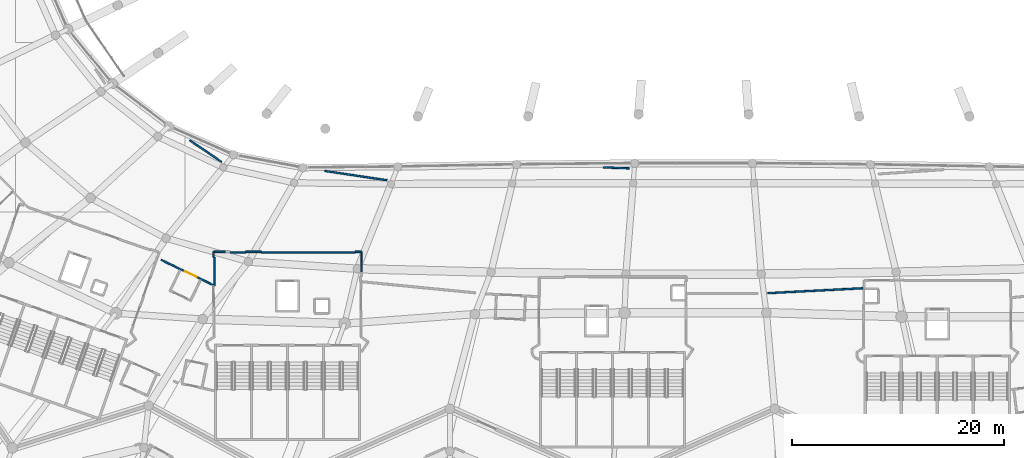
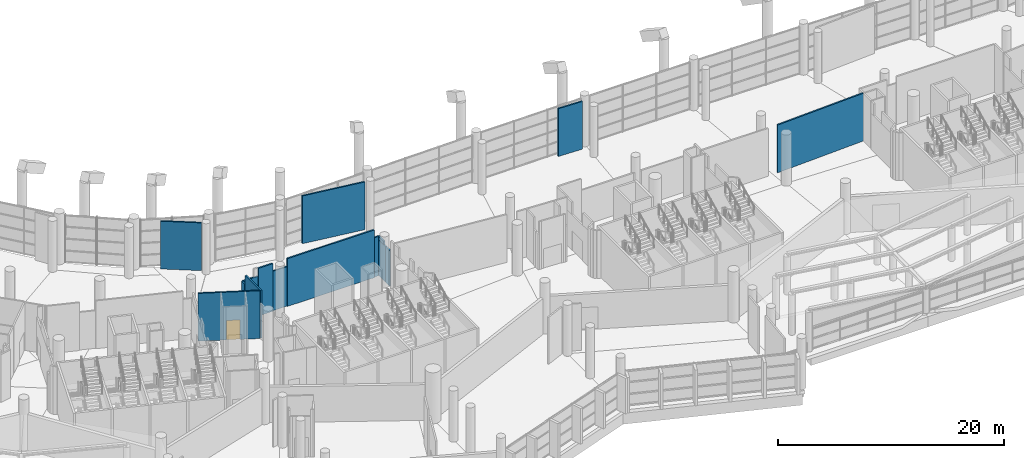
# One storey, part 165 of 271: 15 walls, 1 door, 1 opening.
"""IFC4 building model written with IfcOpenShell, lengths in metres."""

import ifcopenshell
import ifcopenshell.guid

model = None  # the IFC model being written
_history = None  # IfcOwnerHistory: only IFC2X3 demands one
_inside = {}  # id of a spatial element -> (the spatial element, [elements in it])
_under = {}  # id of a project, library or spatial element -> (it, [spatial elements below it])
_declared = {}  # id of a project -> (the project, [libraries it declares])
_typed = {}  # id of a type object -> (the type object, [elements of that type])
_made_of = {}  # id of a material, layer set ... -> (it, [elements and type objects made of it])


def new_model(schema):
    """Start an empty IFC model of exactly this schema.

    Asked for "IFC4X3", IfcOpenShell would pick the latest addendum, in which some entities
    have other attributes; the version numbers below select the first issue.
    IFC2X3 requires an IfcOwnerHistory on every rooted entity: one is made here for all.
    """
    global model, _history
    if schema == "IFC4X3":
        model = ifcopenshell.file(schema_version=(4, 3, 0, 0))
    else:
        model = ifcopenshell.file(schema=schema)
    _inside.clear()
    _under.clear()
    _declared.clear()
    _typed.clear()
    _made_of.clear()
    _history = None
    if model.schema == "IFC2X3":
        org = make("IfcOrganization", Name="unknown")
        user = make(
            "IfcPersonAndOrganization",
            ThePerson=make("IfcPerson", FamilyName="unknown"),
            TheOrganization=org,
        )
        app = make(
            "IfcApplication",
            ApplicationDeveloper=org,
            Version="unknown",
            ApplicationFullName="unknown",
            ApplicationIdentifier="unknown",
        )
        _history = make(
            "IfcOwnerHistory",
            OwningUser=user,
            OwningApplication=app,
            ChangeAction="ADDED",
            CreationDate=0,
        )
    return model


def make(cls, **values):
    """One entity of the class cls with the attributes given. An attribute that is None is left unset."""
    return model.create_entity(
        cls, **{name: value for name, value in values.items() if value is not None}
    )


def rooted(cls, **values):
    """An entity with a GlobalId (a new one), such as an element, a storey or a relation."""
    return make(cls, GlobalId=ifcopenshell.guid.new(), OwnerHistory=_history, **values)


def si_unit(unit_type, name, prefix=None):
    """IfcSIUnit, for example si_unit("LENGTHUNIT", "METRE", prefix="MILLI")."""
    return make("IfcSIUnit", UnitType=unit_type, Prefix=prefix, Name=name)


def assignment(units):
    """IfcUnitAssignment: the units of a project."""
    return None if units is None else make("IfcUnitAssignment", Units=units)


def point(xyz):
    """IfcCartesianPoint."""
    return None if xyz is None else make("IfcCartesianPoint", Coordinates=xyz)


def direction(xyz):
    """IfcDirection."""
    return None if xyz is None else make("IfcDirection", DirectionRatios=xyz)


def frame(location, z_axis=None, x_axis=None):
    """IfcAxis2Placement3D, a coordinate frame: its origin and axes. An axis left out is left unset."""
    return make(
        "IfcAxis2Placement3D",
        Location=point(location),
        Axis=direction(z_axis),
        RefDirection=direction(x_axis),
    )


def frame_2d(location, x_axis=None):
    """IfcAxis2Placement2D, a coordinate frame in the plane: its origin and x axis."""
    return make(
        "IfcAxis2Placement2D", Location=point(location), RefDirection=direction(x_axis)
    )


def origin():
    """The frame at (0, 0, 0) with its axes left unset."""
    return frame((0.0, 0.0, 0.0))


def place(relative_to, where):
    """IfcLocalPlacement: puts the frame where relative to a parent placement (None: the world)."""
    return make(
        "IfcLocalPlacement", PlacementRelTo=relative_to, RelativePlacement=where
    )


def context(
    kind, dimensions, precision=None, world=None, true_north=None, identifier=None
):
    """IfcGeometricRepresentationContext, for example the 3D "Model" context."""
    return make(
        "IfcGeometricRepresentationContext",
        ContextIdentifier=identifier,
        ContextType=kind,
        CoordinateSpaceDimension=dimensions,
        Precision=precision,
        WorldCoordinateSystem=world,
        TrueNorth=true_north,
    )


def subcontext(parent, identifier, kind, view, scale=None):
    """IfcGeometricRepresentationSubContext, for example "Body" below "Model"."""
    return make(
        "IfcGeometricRepresentationSubContext",
        ContextIdentifier=identifier,
        ContextType=kind,
        ParentContext=parent,
        TargetScale=scale,
        TargetView=view,
    )


def project(units=None, contexts=None):
    """IfcProject with its units and contexts."""
    return rooted(
        "IfcProject",
        Name="project",
        RepresentationContexts=contexts,
        UnitsInContext=assignment(units),
    )


def spatial(cls, under=None, at=None, **own):
    """A site, building, storey or space (cls), placed at a placement, below another one or the project."""
    s = rooted(cls, ObjectPlacement=at, **own)
    if under is not None:
        _under.setdefault(under.id(), (under, []))[1].append(s)
    return s


def profile(cls, at=None, kind="AREA", **sizes):
    """A parametric profile (cls). Its sizes go by their IFC names, for example OverallWidth=200.0."""
    return make(cls, ProfileType=kind, Position=at, **sizes)


def rectangle(**sizes):
    """IfcRectangleProfileDef."""
    return profile("IfcRectangleProfileDef", **sizes)


def extrude(swept, where, along, depth):
    """IfcExtrudedAreaSolid: the profile swept, set in the frame where, extruded along a direction by depth."""
    return make(
        "IfcExtrudedAreaSolid",
        SweptArea=swept,
        Position=where,
        ExtrudedDirection=direction(along),
        Depth=depth,
    )


def shape(context_of_items, identifier, shape_type, items):
    """IfcShapeRepresentation: the items that make up one representation, for example the "Body"."""
    return make(
        "IfcShapeRepresentation",
        ContextOfItems=context_of_items,
        RepresentationIdentifier=identifier,
        RepresentationType=shape_type,
        Items=items,
    )


def material(Name=None, Category=None):
    """IfcMaterial."""
    return make("IfcMaterial", Name=Name, Category=Category)


def layer(
    of_material, thickness, ventilated=None, Name=None, Category=None, Priority=None
):
    """IfcMaterialLayer: one layer of a wall or slab, of a material (None: an air gap)."""
    return make(
        "IfcMaterialLayer",
        Material=of_material,
        LayerThickness=thickness,
        IsVentilated=ventilated,
        Name=Name,
        Category=Category,
        Priority=Priority,
    )


def layer_set(layers, Name=None):
    """IfcMaterialLayerSet."""
    return make("IfcMaterialLayerSet", MaterialLayers=layers, LayerSetName=Name)


def made_of(thing, what):
    """Note that an element or type object is made of a material, layer set ...; save() writes the relation."""
    if what is not None:
        _made_of.setdefault(what.id(), (what, []))[1].append(thing)
    return thing


def type_object(cls, material=None, **own):
    """A type object (cls), such as IfcWallType, which elements share."""
    return made_of(rooted(cls, **own), material)


def element(
    cls,
    number,
    at=None,
    inside=None,
    cuts=None,
    type_object=None,
    material=None,
    context=None,
    identifier="Body",
    shape_type=None,
    held_by="IfcProductDefinitionShape",
    body=None,
    shapes=None,
    **own,
):
    """One element of the class cls, such as IfcWall. Its Tag is "e" and its number.

    at: its placement. inside: the storey or other place that contains it. cuts: it is an
    opening in that element (IfcRelVoidsElement). A single representation is given by context,
    identifier, shape_type and body (its items); several are given by shapes. held_by: the class
    of the entity that holds the representations. save() writes the other relations.
    """
    e = rooted(cls, Tag="e%d" % number, ObjectPlacement=at, **own)
    if body is not None:
        shapes = [shape(context, identifier, shape_type, body)]
    if shapes is not None:
        e.Representation = make(held_by, Representations=shapes)
    if inside is not None:
        _inside.setdefault(inside.id(), (inside, []))[1].append(e)
    if cuts is not None:
        rooted(
            "IfcRelVoidsElement", RelatingBuildingElement=cuts, RelatedOpeningElement=e
        )
    if type_object is not None:
        _typed.setdefault(type_object.id(), (type_object, []))[1].append(e)
    return made_of(e, material)


def fill(opening, filler):
    """IfcRelFillsElement: the door or window that sits in an opening."""
    return rooted(
        "IfcRelFillsElement",
        RelatingOpeningElement=opening,
        RelatedBuildingElement=filler,
    )


def aggregate(whole, parts):
    """IfcRelAggregates: a whole, such as a stair, and the parts it consists of."""
    return rooted("IfcRelAggregates", RelatingObject=whole, RelatedObjects=parts)


def save(model, path):
    """Write the relations noted so far, then the file.

    IfcRelAggregates (storeys below a building ...), IfcRelContainedInSpatialStructure (elements
    in a storey), IfcRelDefinesByType, IfcRelAssociatesMaterial and IfcRelDeclares: one each for
    every whole, place, type object, material and project.
    """
    for whole, parts in _under.values():
        aggregate(whole, parts)
    for where, things in _inside.values():
        rooted(
            "IfcRelContainedInSpatialStructure",
            RelatedElements=things,
            RelatingStructure=where,
        )
    for kind, things in _typed.values():
        rooted("IfcRelDefinesByType", RelatedObjects=things, RelatingType=kind)
    for what, things in _made_of.values():
        rooted("IfcRelAssociatesMaterial", RelatedObjects=things, RelatingMaterial=what)
    for by, libraries in _declared.values():
        rooted("IfcRelDeclares", RelatingContext=by, RelatedDefinitions=libraries)
    model.write(path)


model = new_model("IFC4")

# Units and contexts
model_context = context("Model", 3, precision=1e-05, world=origin(), true_north=direction((0.0, 1.0)))
body_context = subcontext(model_context, "Body", "Model", "MODEL_VIEW")
ifc_project = project(units=[si_unit("LENGTHUNIT", "METRE"), si_unit("AREAUNIT", "SQUARE_METRE"), si_unit("VOLUMEUNIT", "CUBIC_METRE"), si_unit("PLANEANGLEUNIT", "RADIAN"), si_unit("MASSUNIT", "GRAM", prefix="KILO")], contexts=[model_context])

# Site, building, storey
site_placement = place(None, origin())
site = spatial("IfcSite", under=ifc_project, at=site_placement, CompositionType="ELEMENT")
building_placement = place(site_placement, origin())
building = spatial("IfcBuilding", under=site, at=building_placement, Name="Meseta Stadium", CompositionType="ELEMENT")
storey_placement = place(building_placement, frame((0.0, 0.0, 6.5)))
storey = spatial("IfcBuildingStorey", under=building, at=storey_placement, Name="L01", CompositionType="ELEMENT", Elevation=6.5)

# Walls
ifc_material_1 = material(Name="Masonry blockwork", Category="masonry")
ifc_layer = layer(ifc_material_1, 0.14990234375)
ifc_layer_set = layer_set([ifc_layer], Name="Partition 150")
wall_type = type_object("IfcWallType", Name="Partition 150", PredefinedType="PARTITIONING", material=ifc_layer_set)
wall_1_placement = place(storey_placement, frame((-47.5634765625, -73.25341796875, 0.0), z_axis=(0.0, 0.0, 1.0), x_axis=(0.827001497717, -0.562199717871, 0.0)))
element("IfcWall", 1, at=wall_1_placement, inside=storey, type_object=wall_type, Name="Partition L01 L01-cell20-0-0", PredefinedType="PARTITIONING", context=body_context, shape_type="SweptSolid", body=[
    extrude(rectangle(XDim=3.632568359375, YDim=0.14990234375, at=frame_2d((1.81640625, 0.0))), origin(), (0.0, 0.0, 1.0), 5.14990234375),
])
wall_2_placement = place(storey_placement, frame((-34.811279296875, -76.14453125, 0.0), z_axis=(0.0, 0.0, 1.0), x_axis=(0.988914922208, -0.148483253719, 0.0)))
element("IfcWall", 2, at=wall_2_placement, inside=storey, type_object=wall_type, Name="Partition L01 L01-cell21-0-0", PredefinedType="PARTITIONING", context=body_context, shape_type="SweptSolid", body=[
    extrude(rectangle(XDim=5.935791015625, YDim=0.14990234375, at=frame_2d((2.9677734375, 0.0))), origin(), (0.0, 0.0, 1.0), 5.14990234375),
])
wall_3_placement = place(storey_placement, frame((-31.92626953125, -83.85107421875, 0.0), z_axis=(0.0, 0.0, 1.0), x_axis=(-1.0, 0.0, 0.0)))
element("IfcWall", 3, at=wall_3_placement, inside=storey, type_object=wall_type, Name="Partition L01 L01-cell21-0-0", PredefinedType="PARTITIONING", context=body_context, shape_type="SweptSolid", body=[
    extrude(rectangle(XDim=8.871337890625, YDim=0.14990234375, at=frame_2d((4.435546875, 0.0))), origin(), (0.0, 0.0, 1.0), 5.14990234375),
])
wall_4_placement = place(storey_placement, frame((-42.276123046875, -83.85107421875, 0.0), z_axis=(0.0, 0.0, 1.0), x_axis=(-1.0, 0.0, 0.0)))
element("IfcWall", 4, at=wall_4_placement, inside=storey, type_object=wall_type, Name="Partition L01 L01-cell21-0-0", PredefinedType="PARTITIONING", context=body_context, shape_type="SweptSolid", body=[
    extrude(rectangle(XDim=1.478759765625, YDim=0.14990234375, at=frame_2d((0.7392578125, 0.0))), origin(), (0.0, 0.0, 1.0), 5.14990234375),
])
wall_5_placement = place(storey_placement, frame((-45.2333984375, -84.29638671875, 0.0), z_axis=(0.0, 0.0, 1.0), x_axis=(0.0, -1.0, 0.0)))
element("IfcWall", 5, at=wall_5_placement, inside=storey, type_object=wall_type, Name="Partition L01 L01-cell21-0-0", PredefinedType="PARTITIONING", context=body_context, shape_type="SweptSolid", body=[
    extrude(rectangle(XDim=2.671142578125, YDim=0.14990234375, at=frame_2d((1.33544921875, 0.0))), origin(), (0.0, 0.0, 1.0), 5.14990234375),
])

# Wall, opening, door
wall_6_placement = place(storey_placement, frame((-45.308349609375, -86.931396484375, 0.0), z_axis=(0.0, 0.0, 1.0), x_axis=(-0.90052298219, 0.434808415911, 0.0)))
wall_6 = element("IfcWall", 6, at=wall_6_placement, inside=storey, type_object=wall_type, Name="Partition L01 L01-cell21-0-0", PredefinedType="PARTITIONING", context=body_context, shape_type="SweptSolid", body=[
    extrude(rectangle(XDim=5.521728515625, YDim=0.14990234375, at=frame_2d((2.7607421875, 0.0))), origin(), (0.0, 0.0, 1.0), 5.14990234375),
])
opening_placement = place(wall_6_placement, frame((1.800048828125, 0.0, 0.0)))
opening = element("IfcOpeningElement", 7, at=opening_placement, cuts=wall_6, Name="Opening D669", PredefinedType="OPENING", context=body_context, shape_type="SweptSolid", body=[
    extrude(rectangle(XDim=1.199951171875, YDim=2.10009765625, at=frame_2d((0.60009765625, 1.050048828125))), frame((0.0, 0.0849609375, 0.0), z_axis=(0.0, -1.0, 0.0), x_axis=(1.0, 0.0, 0.0)), (0.0, 0.0, 1.0), 0.169921875),
])
ifc_material_2 = material(Name="Steel", Category="steel")
door_type = type_object("IfcDoorType", Name="Fire door 1200x2100 EI2 60", OperationType="NOTDEFINED", PredefinedType="DOOR", material=ifc_material_2)
door_placement = place(opening_placement, origin())
door = element("IfcDoor", 8, at=door_placement, inside=storey, type_object=door_type, Name="Door D669", OperationType="SINGLE_SWING_LEFT", OverallHeight=2.10009765625, OverallWidth=1.199951171875, PredefinedType="DOOR", context=body_context, shape_type="SweptSolid", body=[
    extrude(rectangle(XDim=1.199951171875, YDim=2.10009765625, at=frame_2d((0.60009765625, 1.050048828125))), frame((0.0, 0.02490234375, 0.0), z_axis=(0.0, -1.0, 0.0), x_axis=(1.0, 0.0, 0.0)), (0.0, 0.0, 1.0), 0.050048828125),
])
fill(opening, door)

# Walls
wall_7_placement = place(storey_placement, frame((-8.506103515625, -75.812744140625, 0.0), z_axis=(0.0, 0.0, 1.0), x_axis=(0.999400729442, -0.034614765498, 0.0)))
element("IfcWall", 9, at=wall_7_placement, inside=storey, type_object=wall_type, Name="Partition L01 L01-cell22-0-0", PredefinedType="PARTITIONING", context=body_context, shape_type="SweptSolid", body=[
    extrude(rectangle(XDim=2.42626953125, YDim=0.14990234375, at=frame_2d((1.213134765625, 0.0))), origin(), (0.0, 0.0, 1.0), 5.14990234375),
])
wall_8_placement = place(storey_placement, frame((16.02490234375, -87.2138671875, 0.0), z_axis=(0.0, 0.0, 1.0), x_axis=(-0.998660530851, -0.051741126006, 0.0)))
element("IfcWall", 10, at=wall_8_placement, inside=storey, type_object=wall_type, Name="Partition L01 L01-cell23-0-0", PredefinedType="PARTITIONING", context=body_context, shape_type="SweptSolid", body=[
    extrude(rectangle(XDim=9.026611328125, YDim=0.14990234375, at=frame_2d((4.51318359375, 0.0))), origin(), (0.0, 0.0, 1.0), 5.14990234375),
])
wall_9_placement = place(storey_placement, frame((-31.3583984375, -85.044189453125, 0.0), z_axis=(0.0, 0.0, 1.0), x_axis=(0.0, 1.0, 0.0)))
element("IfcWall", 11, at=wall_9_placement, inside=storey, type_object=wall_type, Name="Stair vestibule wall L01 core 23", PredefinedType="PARTITIONING", context=body_context, shape_type="SweptSolid", body=[
    extrude(rectangle(XDim=1.26806640625, YDim=0.14990234375, at=frame_2d((0.634033203125, 0.0))), origin(), (0.0, 0.0, 1.0), 3.85009765625),
])
wall_10_placement = place(storey_placement, frame((-31.3583984375, -84.701171875, 3.85009765625), z_axis=(0.0, 0.0, 1.0), x_axis=(0.0, 1.0, 0.0)))
element("IfcWall", 12, at=wall_10_placement, inside=storey, type_object=wall_type, Name="Stair vestibule wall L01 core 23", PredefinedType="PARTITIONING", context=body_context, shape_type="SweptSolid", body=[
    extrude(rectangle(XDim=0.925048828125, YDim=0.14990234375, at=frame_2d((0.46240234375, 0.0))), origin(), (0.0, 0.0, 1.0), 0.39990234375),
])
wall_11_placement = place(storey_placement, frame((-31.3583984375, -83.776123046875, 0.0), z_axis=(0.0, 0.0, 1.0), x_axis=(-1.0, 0.0, 0.0)))
element("IfcWall", 13, at=wall_11_placement, inside=storey, type_object=wall_type, Name="Stair vestibule wall L01 core 23", PredefinedType="PARTITIONING", context=body_context, shape_type="SweptSolid", body=[
    extrude(rectangle(XDim=0.557861328125, YDim=0.14990234375, at=frame_2d((0.27880859375, 0.0))), origin(), (0.0, 0.0, 1.0), 4.25),
])
wall_12_placement = place(storey_placement, frame((-40.8076171875, -83.776123046875, 0.0), z_axis=(0.0, 0.0, 1.0), x_axis=(-1.0, 0.0, 0.0)))
element("IfcWall", 14, at=wall_12_placement, inside=storey, type_object=wall_type, Name="Stair vestibule wall L01 core 23", PredefinedType="PARTITIONING", context=body_context, shape_type="SweptSolid", body=[
    extrude(rectangle(XDim=1.45849609375, YDim=0.14990234375, at=frame_2d((0.729248046875, 0.0))), origin(), (0.0, 0.0, 1.0), 4.25),
])
wall_13_placement = place(storey_placement, frame((-43.764892578125, -83.776123046875, 0.0), z_axis=(0.0, 0.0, 1.0), x_axis=(-1.0, 0.0, 0.0)))
element("IfcWall", 15, at=wall_13_placement, inside=storey, type_object=wall_type, Name="Stair vestibule wall L01 core 23", PredefinedType="PARTITIONING", context=body_context, shape_type="SweptSolid", body=[
    extrude(rectangle(XDim=1.543701171875, YDim=0.14990234375, at=frame_2d((0.77197265625, 0.0))), origin(), (0.0, 0.0, 1.0), 4.25),
])
wall_14_placement = place(storey_placement, frame((-45.30859375, -83.776123046875, 0.0), z_axis=(0.0, 0.0, 1.0), x_axis=(0.003347661777, -0.999994396565, 0.0)))
element("IfcWall", 16, at=wall_14_placement, inside=storey, type_object=wall_type, Name="Stair vestibule wall L01 core 23", PredefinedType="PARTITIONING", context=body_context, shape_type="SweptSolid", body=[
    extrude(rectangle(XDim=0.510498046875, YDim=0.14990234375, at=frame_2d((0.25537109375, 0.0))), origin(), (0.0, 0.0, 1.0), 4.25),
])
wall_15_placement = place(storey_placement, frame((-31.3583984375, -85.709228515625, 0.0), z_axis=(0.0, 0.0, 1.0), x_axis=(0.0, 1.0, 0.0)))
element("IfcWall", 17, at=wall_15_placement, inside=storey, type_object=wall_type, Name="Stair vestibule wall L01 core 23", PredefinedType="PARTITIONING", context=body_context, shape_type="SweptSolid", body=[
    extrude(rectangle(XDim=0.6650390625, YDim=0.14990234375, at=frame_2d((0.33251953125, 0.0))), origin(), (0.0, 0.0, 1.0), 3.85009765625),
])

save(model, "model.ifc")
